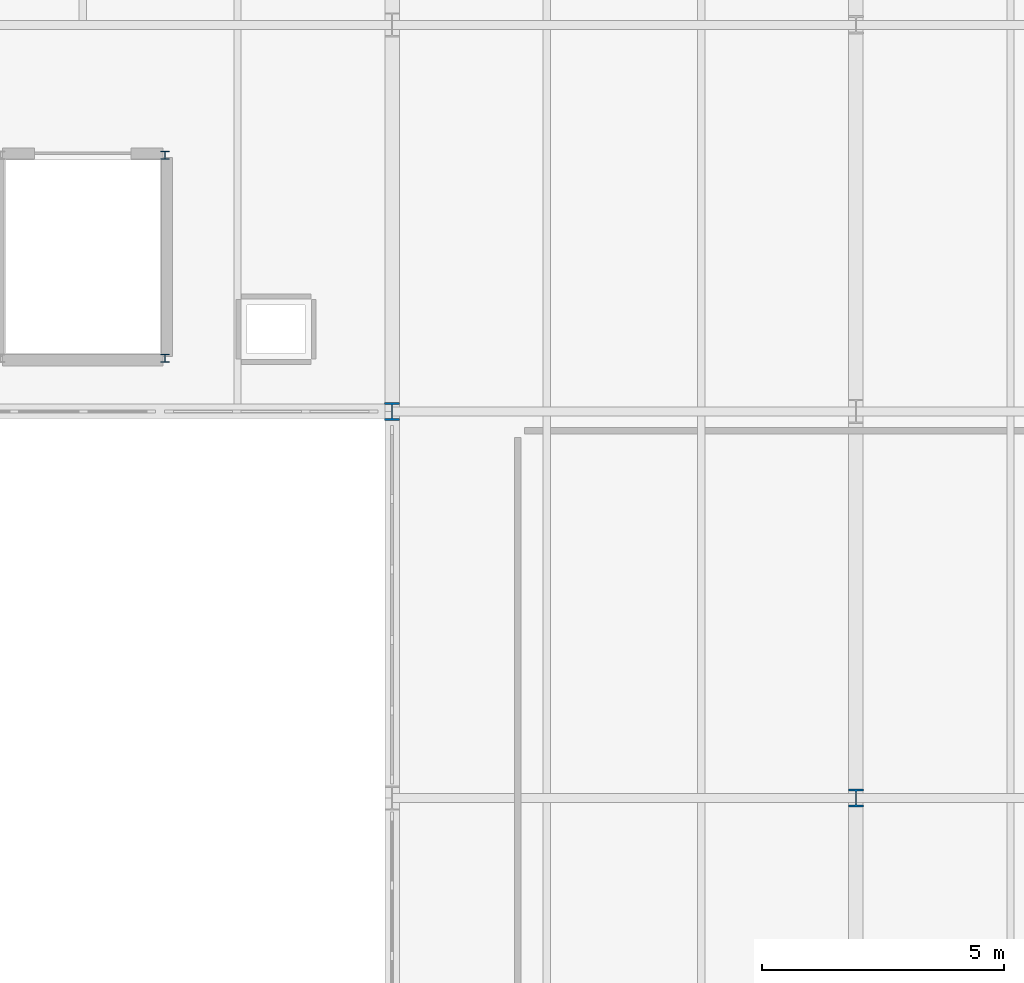
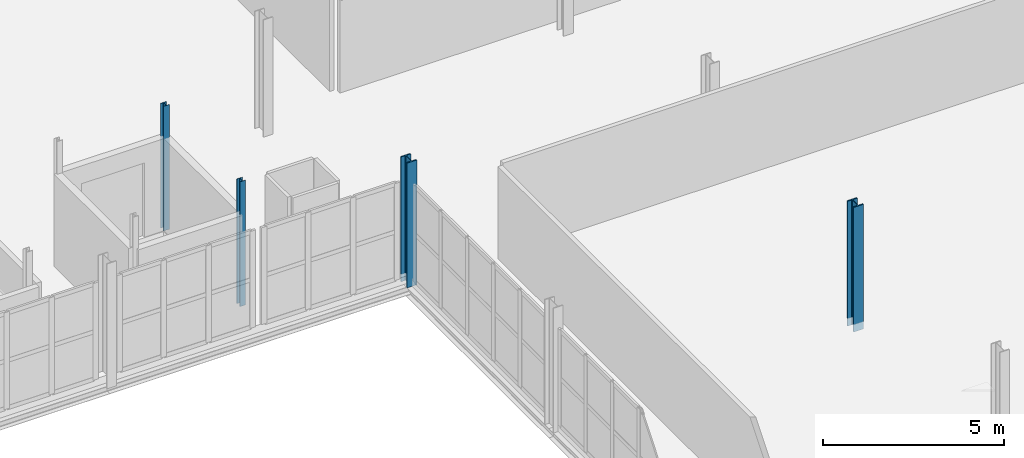
# One storey, part 26 of 78: 4 columns.
"""IFC4 building model written with IfcOpenShell, lengths in metres."""

from ifc_helpers import new_model, si_unit, direction, frame, origin, origin_2d, place, context, subcontext, project, spatial, i_section, extrude, material, material_profile, profile_set, type_object, element, save


model = new_model("IFC4")

# Units and contexts
model_context = context("Model", 3, precision=1e-05, world=origin(), true_north=direction((0.0, 1.0)))
body_context = subcontext(model_context, "Body", "Model", "MODEL_VIEW")
ifc_project = project(units=[si_unit("LENGTHUNIT", "METRE"), si_unit("AREAUNIT", "SQUARE_METRE"), si_unit("VOLUMEUNIT", "CUBIC_METRE"), si_unit("PLANEANGLEUNIT", "RADIAN"), si_unit("MASSUNIT", "GRAM", prefix="KILO")], contexts=[model_context])

# Site, building, storey
site_placement = place(None, origin())
site = spatial("IfcSite", under=ifc_project, at=site_placement, CompositionType="ELEMENT")
building_placement = place(site_placement, origin())
building = spatial("IfcBuilding", under=site, at=building_placement, Name="Alderhovde Museum", CompositionType="ELEMENT")
storey_placement = place(building_placement, frame((0.0, 0.0, 4.5)))
storey = spatial("IfcBuildingStorey", under=building, at=storey_placement, Name="L01", CompositionType="ELEMENT", Elevation=4.5)

# Columns
ifc_material_1 = material(Name="Steel S355J2", Category="steel")
ifc_material_profile_1 = material_profile(ifc_material_1, i_section(OverallWidth=0.179931640625, OverallDepth=0.1708984375, WebThickness=0.006103515625, FlangeThickness=0.009521484375, FilletRadius=0.014892578125, at=origin_2d()), Name="HEA 180")
ifc_profile_set_1 = profile_set([ifc_material_profile_1], Name="Steel S355J2")
column_type_1 = type_object("IfcColumnType", Name="COL-HEA180", PredefinedType="COLUMN", material=ifc_profile_set_1)
for number, where, z_axis, x_axis, name in (
    (1, (139.300048828125, 73.10009765625, 0.0), (0.0, 0.0, 1.0), (1.0, 0.0, 0.0), "L01 Lift GL-01 Shaft Column 2"),
    (2, (139.300048828125, 77.300048828125, 0.0), (0.0, 0.0, 1.0), (1.0, 0.0, 0.0), "L01 Lift GL-01 Shaft Column 3"),
):
    element("IfcColumn", number, at=place(storey_placement, frame(where, z_axis=z_axis, x_axis=x_axis)), inside=storey, type_object=column_type_1, Name=name, PredefinedType="COLUMN", context=body_context, shape_type="SweptSolid", body=[
        extrude(i_section(OverallWidth=0.179931640625, OverallDepth=0.1708984375, WebThickness=0.006103515625, FlangeThickness=0.009521484375, FilletRadius=0.014892578125, at=origin_2d()), origin(), (0.0, 0.0, 1.0), 4.199951171875),
    ])
ifc_material_2 = material(Name="Steel S355J2", Category="steel")
ifc_material_profile_2 = material_profile(ifc_material_2, i_section(OverallWidth=0.30908203125, OverallDepth=0.376953125, WebThickness=0.02099609375, FlangeThickness=0.0400390625, FilletRadius=0.027099609375, at=origin_2d()), Name="HEM 340")
ifc_profile_set_2 = profile_set([ifc_material_profile_2], Name="Steel S355J2")
column_type_2 = type_object("IfcColumnType", Name="COL-HEM340", PredefinedType="COLUMN", material=ifc_profile_set_2)
for number, where, z_axis, x_axis, name in (
    (3, (144.0, 72.0, -0.260009765625), (0.0, 0.0, 1.0), (1.0, 0.0, 0.0), "L01 Column (144.0, 72.0)"),
    (4, (153.60009765625, 64.0, -0.260009765625), (0.0, 0.0, 1.0), (1.0, 0.0, 0.0), "L01 Column (153.6, 64.0)"),
):
    element("IfcColumn", number, at=place(storey_placement, frame(where, z_axis=z_axis, x_axis=x_axis)), inside=storey, type_object=column_type_2, Name=name, PredefinedType="COLUMN", context=body_context, shape_type="SweptSolid", body=[
        extrude(i_section(OverallWidth=0.30908203125, OverallDepth=0.376953125, WebThickness=0.02099609375, FlangeThickness=0.0400390625, FilletRadius=0.027099609375, at=origin_2d()), origin(), (0.0, 0.0, 1.0), 4.199951171875),
    ])

save(model, "model.ifc")
